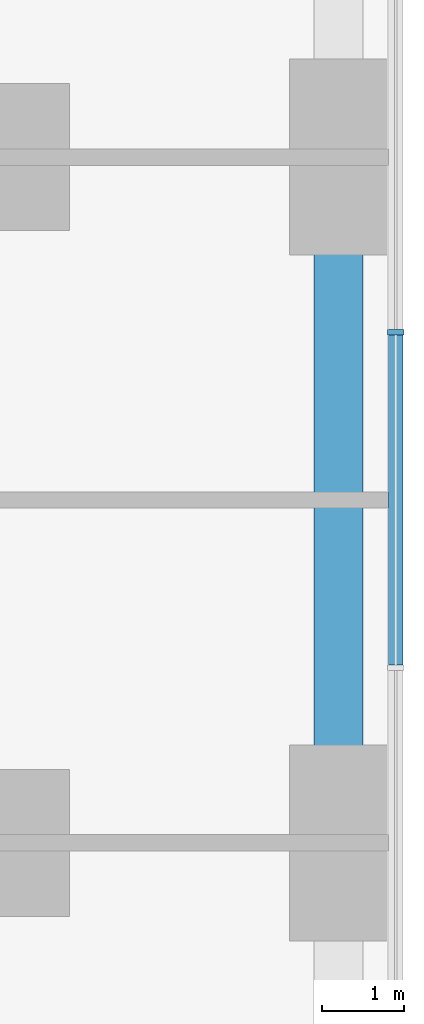
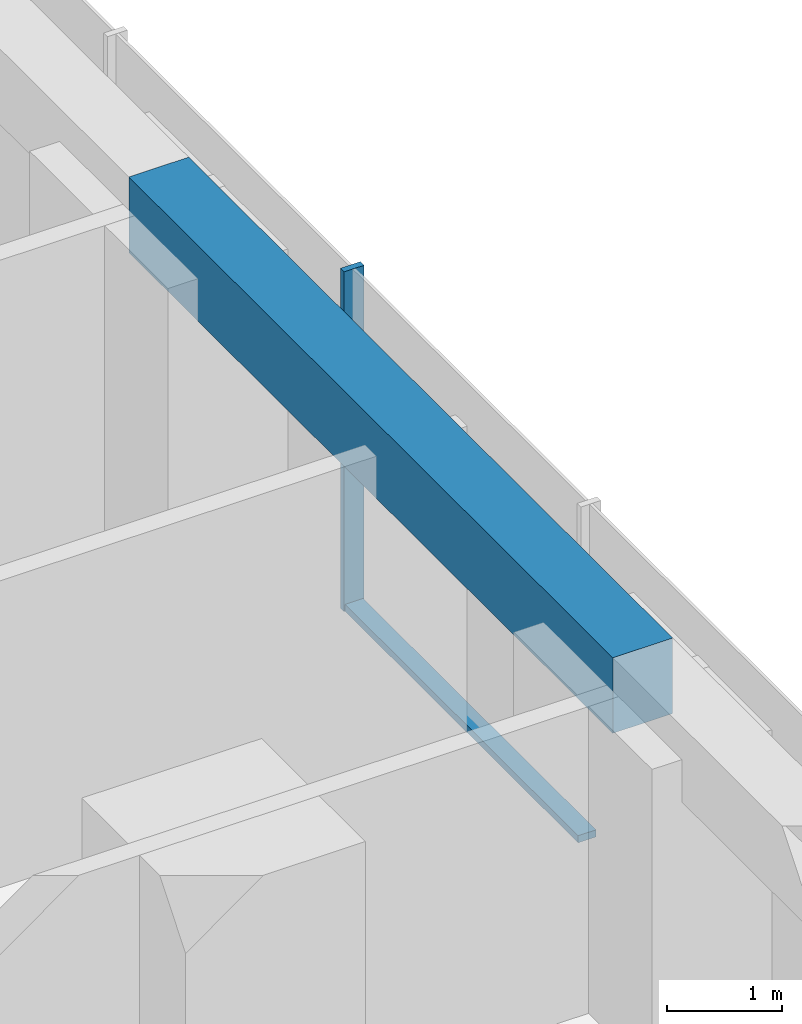
# One storey, part 5 of 18: 2 members, 1 beam, 1 element without a shape of its own.
"""IFC4 building model written with IfcOpenShell, lengths in metres."""

from ifc_helpers import new_model, si_unit, direction, frame, origin, origin_2d, place, context, subcontext, project, spatial, rectangle, extrude, material, material_profile, profile_set, type_object, element, aggregate, save


model = new_model("IFC4")

# Units and contexts
model_context = context("Model", 3, precision=1e-05, world=origin(), true_north=direction((0.0, 1.0)))
body_context = subcontext(model_context, "Body", "Model", "MODEL_VIEW")
ifc_project = project(units=[si_unit("LENGTHUNIT", "METRE"), si_unit("AREAUNIT", "SQUARE_METRE"), si_unit("VOLUMEUNIT", "CUBIC_METRE"), si_unit("PLANEANGLEUNIT", "RADIAN"), si_unit("MASSUNIT", "GRAM", prefix="KILO")], contexts=[model_context])

# Site, building, storey
site_placement = place(None, origin())
site = spatial("IfcSite", under=ifc_project, at=site_placement, CompositionType="ELEMENT")
building_placement = place(site_placement, origin())
building = spatial("IfcBuilding", under=site, at=building_placement, Name="Dunama Terrace Hotel", CompositionType="ELEMENT")
storey_placement = place(building_placement, frame((0.0, 0.0, 27.0)))
storey = spatial("IfcBuildingStorey", under=building, at=storey_placement, Name="L05", CompositionType="ELEMENT", Elevation=27.0)

# Curtain wall, members
ifc_material_1 = material(Name="Aluminium curtain wall system", Category="aluminium")
curtain_wall_type = type_object("IfcCurtainWallType", Name="Unitised fritted glass wall CW-A", PredefinedType="NOTDEFINED", material=ifc_material_1)
curtain_wall_placement = place(storey_placement, origin())
curtain_wall = element("IfcCurtainWall", 1, at=curtain_wall_placement, inside=storey, type_object=curtain_wall_type, Name="Unitised fritted glass wall CW-A L05", PredefinedType="NOTDEFINED")
ifc_material_2 = material(Name="Aluminium mullion", Category="aluminium")
ifc_material_profile_1 = material_profile(ifc_material_2, rectangle(XDim=0.06494140625, YDim=0.199951171875, at=origin_2d()), Name="CWA MULLION 65X200")
ifc_profile_set_1 = profile_set([ifc_material_profile_1], Name="Aluminium mullion")
member_type_1 = type_object("IfcMemberType", Name="CWA mullion 65x200", PredefinedType="MULLION", material=ifc_profile_set_1)
member_1_placement = place(storey_placement, frame((58.89990234375, 31.4541015625, 0.0), z_axis=(0.0, 0.0, 1.0), x_axis=(0.0, 1.0, 0.0)))
member_1 = element("IfcMember", 2, at=member_1_placement, type_object=member_type_1, Name="CWA mullion", PredefinedType="MULLION", context=body_context, shape_type="SweptSolid", body=[
    extrude(rectangle(XDim=0.06494140625, YDim=0.199951171875, at=origin_2d()), origin(), (0.0, 0.0, 1.0), 3.60009765625),
])
ifc_material_3 = material(Name="Aluminium transom", Category="aluminium")
ifc_material_profile_2 = material_profile(ifc_material_3, rectangle(XDim=0.179931640625, YDim=0.074951171875, at=origin_2d()), Name="CWA TRANSOM 180X75")
ifc_profile_set_2 = profile_set([ifc_material_profile_2], Name="Aluminium transom")
member_type_2 = type_object("IfcMemberType", Name="CWA transom 180x75", PredefinedType="USERDEFINED", material=ifc_profile_set_2)
member_2_placement = place(storey_placement, frame((58.89990234375, 27.37890625, 0.03759765625), z_axis=(0.0, 1.0, 0.0), x_axis=(-1.0, 0.0, 0.0)))
member_2 = element("IfcMember", 3, at=member_2_placement, type_object=member_type_2, Name="CWA transom", ObjectType="TRANSOM", PredefinedType="USERDEFINED", context=body_context, shape_type="SweptSolid", body=[
    extrude(rectangle(XDim=0.179931640625, YDim=0.074951171875, at=origin_2d()), origin(), (0.0, 0.0, 1.0), 4.0419921875),
])
aggregate(curtain_wall, [member_1, member_2])

# Beam
ifc_material_4 = material(Name="Concrete C40/50", Category="concrete")
ifc_material_profile_3 = material_profile(ifc_material_4, rectangle(XDim=0.60009765625, YDim=0.800048828125, at=origin_2d()), Name="RC 600x800")
ifc_profile_set_3 = profile_set([ifc_material_profile_3], Name="Concrete C40/50")
beam_type = type_object("IfcBeamType", Name="Edge beam RC 600x800", PredefinedType="SPANDREL", material=ifc_profile_set_3)
beam_placement = place(storey_placement, frame((58.199951171875, 25.199951171875, 3.199951171875), z_axis=(0.0, 1.0, 0.0), x_axis=(-1.0, 0.0, 0.0)))
element("IfcBeam", 4, at=beam_placement, inside=storey, type_object=beam_type, Name="Edge beam under L06", PredefinedType="SPANDREL", context=body_context, shape_type="SweptSolid", body=[
    extrude(rectangle(XDim=0.60009765625, YDim=0.800048828125, at=origin_2d()), origin(), (0.0, 0.0, 1.0), 8.400146484375),
])

save(model, "model.ifc")
